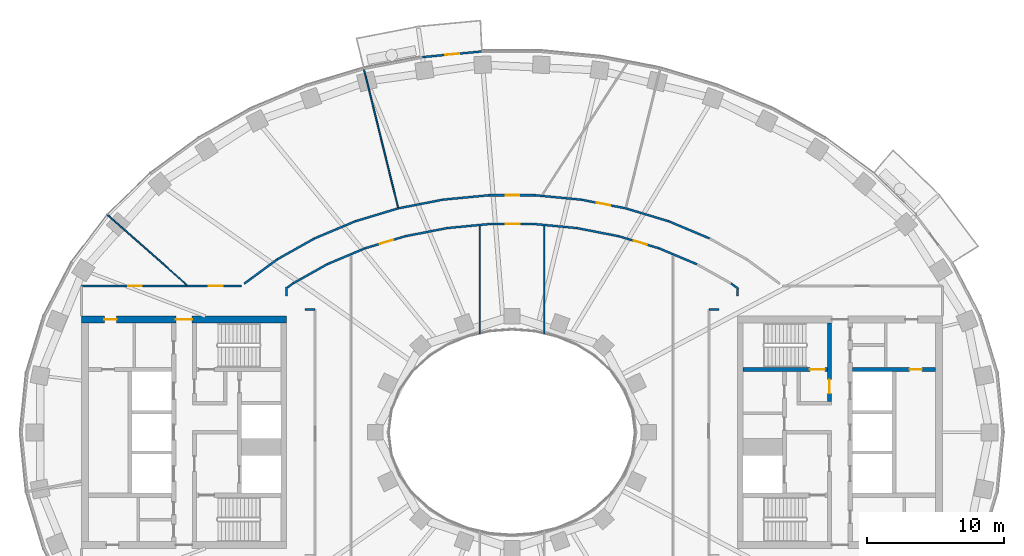
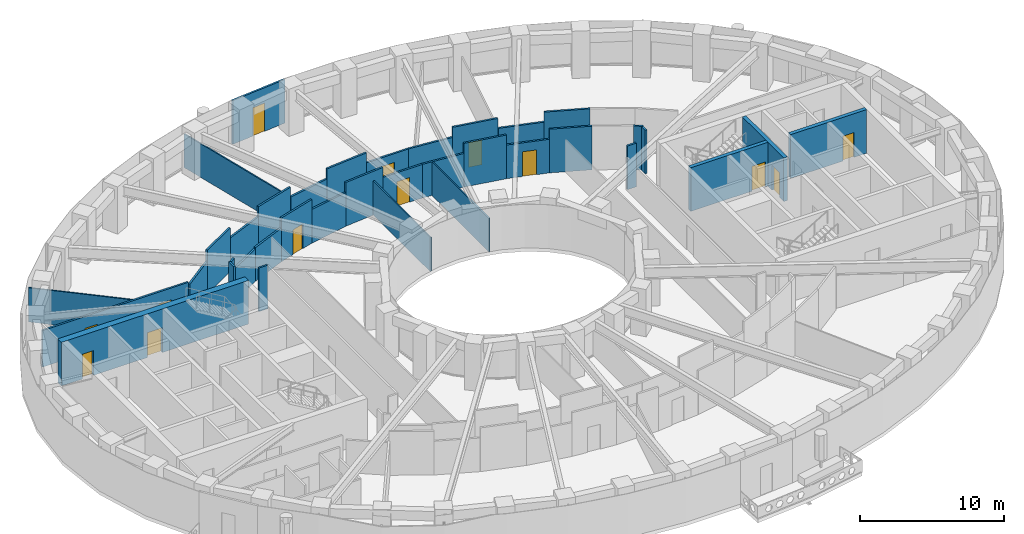
# One storey, part 6 of 16: 37 walls, 13 doors, 13 openings.
"""IFC4 building model written with IfcOpenShell, lengths in metres."""

from ifc_helpers import new_model, si_unit, direction, frame, frame_2d, origin, place, context, subcontext, project, spatial, rectangle, extrude, material, layer, layer_set, type_object, element, fill, save


model = new_model("IFC4")

# Units and contexts
model_context = context("Model", 3, precision=1e-05, world=origin(), true_north=direction((0.0, 1.0)))
body_context = subcontext(model_context, "Body", "Model", "MODEL_VIEW")
ifc_project = project(units=[si_unit("LENGTHUNIT", "METRE"), si_unit("AREAUNIT", "SQUARE_METRE"), si_unit("VOLUMEUNIT", "CUBIC_METRE"), si_unit("PLANEANGLEUNIT", "RADIAN"), si_unit("MASSUNIT", "GRAM", prefix="KILO")], contexts=[model_context])

# Site, building, storey
site_placement = place(None, origin())
site = spatial("IfcSite", under=ifc_project, at=site_placement, CompositionType="ELEMENT")
building_placement = place(site_placement, origin())
building = spatial("IfcBuilding", under=site, at=building_placement, Name="Noorbagh Ring Tower", CompositionType="ELEMENT")
storey_placement = place(building_placement, frame((0.0, 0.0, 132.0)))
storey = spatial("IfcBuildingStorey", under=building, at=storey_placement, Name="L30", CompositionType="ELEMENT", Elevation=132.0)

# Wall, opening, door
ifc_material_1 = material(Name="Concrete C70/85", Category="concrete")
ifc_layer_1 = layer(ifc_material_1, 0.300048828125)
ifc_layer_set_1 = layer_set([ifc_layer_1], Name="Concrete C70/85")
wall_type_1 = type_object("IfcWallType", Name="CORE-WALL-300-C70-85-EI240", PredefinedType="SHEAR", material=ifc_layer_set_1)
wall_1_placement = place(storey_placement, frame((24.89990234375, 4.60009765625, 0.0), z_axis=(0.0, 0.0, 1.0), x_axis=(1.0, 0.0, 0.0)))
wall_1 = element("IfcWall", 1, at=wall_1_placement, inside=storey, type_object=wall_type_1, Name="Core wall E", PredefinedType="SHEAR", context=body_context, shape_type="SweptSolid", body=[
    extrude(rectangle(XDim=6.10009765625, YDim=0.300048828125, at=frame_2d((3.050048828125, 0.0))), origin(), (0.0, 0.0, 1.0), 3.699951171875),
])
opening_1_placement = place(wall_1_placement, frame((4.199951171875, 0.0, 0.0)))
opening_1 = element("IfcOpeningElement", 2, at=opening_1_placement, cuts=wall_1, Name="Opening L30-CE18", PredefinedType="OPENING", context=body_context, shape_type="SweptSolid", body=[
    extrude(rectangle(XDim=0.89990234375, YDim=2.10009765625, at=frame_2d((0.449951171875, 1.050048828125))), frame((0.0, 0.16015625, 0.0), z_axis=(0.0, -1.0, 0.0), x_axis=(1.0, 0.0, 0.0)), (0.0, 0.0, 1.0), 0.320068359375),
])
ifc_material_2 = material(Name="Steel door leaf", Category="steel")
door_type_1 = type_object("IfcDoorType", Name="CORE-DOOR-DROOM", OperationType="SINGLE_SWING_LEFT", PredefinedType="DOOR", material=ifc_material_2)
door_1_placement = place(opening_1_placement, origin())
door_1 = element("IfcDoor", 3, at=door_1_placement, inside=storey, type_object=door_type_1, Name="Core room door L30-CE18", OperationType="SINGLE_SWING_RIGHT", OverallHeight=2.10009765625, OverallWidth=0.89990234375, PredefinedType="DOOR", context=body_context, shape_type="SweptSolid", body=[
    extrude(rectangle(XDim=0.89990234375, YDim=2.10009765625, at=frame_2d((0.449951171875, 1.050048828125))), frame((0.0, 0.02490234375, 0.0), z_axis=(0.0, -1.0, 0.0), x_axis=(1.0, 0.0, 0.0)), (0.0, 0.0, 1.0), 0.050048828125),
])
fill(opening_1, door_1)

wall_2_placement = place(storey_placement, frame((23.22998046875, 2.25, 0.0), z_axis=(0.0, 0.0, 1.0), x_axis=(0.0, 1.0, 0.0)))
wall_2 = element("IfcWall", 4, at=wall_2_placement, inside=storey, type_object=wall_type_1, Name="Core wall E", PredefinedType="SHEAR", context=body_context, shape_type="SweptSolid", body=[
    extrude(rectangle(XDim=5.75, YDim=0.300048828125, at=frame_2d((2.875, 0.0))), origin(), (0.0, 0.0, 1.0), 3.699951171875),
])
opening_2_placement = place(wall_2_placement, frame((0.60009765625, 0.0, 0.0)))
opening_2 = element("IfcOpeningElement", 5, at=opening_2_placement, cuts=wall_2, Name="Opening L30-CE08", PredefinedType="OPENING", context=body_context, shape_type="SweptSolid", body=[
    extrude(rectangle(XDim=1.0, YDim=2.10009765625, at=frame_2d((0.5, 1.050048828125))), frame((0.0, 0.16015625, 0.0), z_axis=(0.0, -1.0, 0.0), x_axis=(1.0, 0.0, 0.0)), (0.0, 0.0, 1.0), 0.320068359375),
])
ifc_material_3 = material(Name="Steel door leaf", Category="steel")
door_type_2 = type_object("IfcDoorType", Name="CORE-DOOR-DVEST", OperationType="SINGLE_SWING_LEFT", PredefinedType="DOOR", material=ifc_material_3)
door_2_placement = place(opening_2_placement, origin())
door_2 = element("IfcDoor", 6, at=door_2_placement, inside=storey, type_object=door_type_2, Name="Stair vestibule door L30-CE08", OperationType="SINGLE_SWING_RIGHT", OverallHeight=2.10009765625, OverallWidth=1.0, PredefinedType="DOOR", context=body_context, shape_type="SweptSolid", body=[
    extrude(rectangle(XDim=1.0, YDim=2.10009765625, at=frame_2d((0.5, 1.050048828125))), frame((0.0, 0.02490234375, 0.0), z_axis=(0.0, -1.0, 0.0), x_axis=(1.0, 0.0, 0.0)), (0.0, 0.0, 1.0), 0.050048828125),
])
fill(opening_2, door_2)

wall_3_placement = place(storey_placement, frame((16.89990234375, 4.60009765625, 0.0), z_axis=(0.0, 0.0, 1.0), x_axis=(1.0, 0.0, 0.0)))
wall_3 = element("IfcWall", 7, at=wall_3_placement, inside=storey, type_object=wall_type_1, Name="Core wall E", PredefinedType="SHEAR", context=body_context, shape_type="SweptSolid", body=[
    extrude(rectangle(XDim=6.18017578125, YDim=0.300048828125, at=frame_2d((3.090087890625, 0.0))), origin(), (0.0, 0.0, 1.0), 3.699951171875),
])
opening_3_placement = place(wall_3_placement, frame((4.89990234375, 0.0, 0.0)))
opening_3 = element("IfcOpeningElement", 8, at=opening_3_placement, cuts=wall_3, Name="Opening L30-CE05", PredefinedType="OPENING", context=body_context, shape_type="SweptSolid", body=[
    extrude(rectangle(XDim=1.10009765625, YDim=2.10009765625, at=frame_2d((0.550048828125, 1.050048828125))), frame((0.0, 0.16015625, 0.0), z_axis=(0.0, -1.0, 0.0), x_axis=(1.0, 0.0, 0.0)), (0.0, 0.0, 1.0), 0.320068359375),
])
ifc_material_4 = material(Name="Steel door leaf", Category="steel")
door_type_3 = type_object("IfcDoorType", Name="CORE-DOOR-DSTAIR", OperationType="SINGLE_SWING_LEFT", PredefinedType="DOOR", material=ifc_material_4)
door_3_placement = place(opening_3_placement, origin())
door_3 = element("IfcDoor", 9, at=door_3_placement, inside=storey, type_object=door_type_3, Name="Stair door ST3 L30-CE05", OperationType="SINGLE_SWING_LEFT", OverallHeight=2.10009765625, OverallWidth=1.10009765625, PredefinedType="DOOR", context=body_context, shape_type="SweptSolid", body=[
    extrude(rectangle(XDim=1.10009765625, YDim=2.10009765625, at=frame_2d((0.550048828125, 1.050048828125))), frame((0.0, 0.02490234375, 0.0), z_axis=(0.0, -1.0, 0.0), x_axis=(1.0, 0.0, 0.0)), (0.0, 0.0, 1.0), 0.050048828125),
])
fill(opening_3, door_3)

# Wall, openings, doors
ifc_material_5 = material(Name="Concrete C70/85", Category="concrete")
ifc_layer_2 = layer(ifc_material_5, 0.5)
ifc_layer_set_2 = layer_set([ifc_layer_2], Name="Concrete C70/85")
wall_type_2 = type_object("IfcWallType", Name="CORE-WALL-500-C70-85-EI240", PredefinedType="SHEAR", material=ifc_layer_set_2)
wall_4_placement = place(storey_placement, frame((-16.5, 8.25, 0.0), z_axis=(0.0, 0.0, 1.0), x_axis=(-1.0, 0.0, 0.0)))
wall_4 = element("IfcWall", 10, at=wall_4_placement, inside=storey, type_object=wall_type_2, Name="Core wall W", PredefinedType="SHEAR", context=body_context, shape_type="SweptSolid", body=[
    extrude(rectangle(XDim=15.0, YDim=0.5, at=frame_2d((7.5, 0.0))), origin(), (0.0, 0.0, 1.0), 3.699951171875),
])
opening_4_placement = place(wall_4_placement, frame((6.89990234375, 0.0, 0.0)))
opening_4 = element("IfcOpeningElement", 11, at=opening_4_placement, cuts=wall_4, Name="Opening L30-CW09", PredefinedType="OPENING", context=body_context, shape_type="SweptSolid", body=[
    extrude(rectangle(XDim=1.199951171875, YDim=2.10009765625, at=frame_2d((0.60009765625, 1.050048828125))), frame((0.0, 0.260009765625, 0.0), z_axis=(0.0, -1.0, 0.0), x_axis=(1.0, 0.0, 0.0)), (0.0, 0.0, 1.0), 0.52001953125),
])
opening_5_placement = place(wall_4_placement, frame((12.425048828125, 0.0, 0.0)))
opening_5 = element("IfcOpeningElement", 12, at=opening_5_placement, cuts=wall_4, Name="Opening L30-CW13", PredefinedType="OPENING", context=body_context, shape_type="SweptSolid", body=[
    extrude(rectangle(XDim=0.89990234375, YDim=2.10009765625, at=frame_2d((0.449951171875, 1.050048828125))), frame((0.0, 0.260009765625, 0.0), z_axis=(0.0, -1.0, 0.0), x_axis=(1.0, 0.0, 0.0)), (0.0, 0.0, 1.0), 0.52001953125),
])
door_4_placement = place(opening_5_placement, origin())
door_4 = element("IfcDoor", 13, at=door_4_placement, inside=storey, type_object=door_type_1, Name="Core room door L30-CW13", OperationType="SINGLE_SWING_RIGHT", OverallHeight=2.10009765625, OverallWidth=0.89990234375, PredefinedType="DOOR", context=body_context, shape_type="SweptSolid", body=[
    extrude(rectangle(XDim=0.89990234375, YDim=2.10009765625, at=frame_2d((0.449951171875, 1.050048828125))), frame((0.0, 0.02490234375, 0.0), z_axis=(0.0, -1.0, 0.0), x_axis=(1.0, 0.0, 0.0)), (0.0, 0.0, 1.0), 0.050048828125),
])
fill(opening_5, door_4)
ifc_material_6 = material(Name="Steel door leaf", Category="steel")
door_type_4 = type_object("IfcDoorType", Name="CORE-DOOR-PORT", OperationType="DOUBLE_DOOR_DOUBLE_SWING", PredefinedType="DOOR", material=ifc_material_6)
door_5_placement = place(opening_4_placement, origin())
door_5 = element("IfcDoor", 14, at=door_5_placement, inside=storey, type_object=door_type_4, Name="Core entrance door L30-CW09", OperationType="DOUBLE_DOOR_DOUBLE_SWING", OverallHeight=2.10009765625, OverallWidth=1.199951171875, PredefinedType="DOOR", context=body_context, shape_type="SweptSolid", body=[
    extrude(rectangle(XDim=1.199951171875, YDim=2.10009765625, at=frame_2d((0.60009765625, 1.050048828125))), frame((0.0, 0.02490234375, 0.0), z_axis=(0.0, -1.0, 0.0), x_axis=(1.0, 0.0, 0.0)), (0.0, 0.0, 1.0), 0.050048828125),
])
fill(opening_4, door_5)

ifc_material_7 = material(Name="Gypsum board on steel studs", Category="steel")
ifc_layer_3 = layer(ifc_material_7, 0.14990234375)
ifc_layer_set_3 = layer_set([ifc_layer_3], Name="Gypsum board on steel studs")
wall_type_3 = type_object("IfcWallType", Name="CORRIDOR PARTITION 150 EI 30", PredefinedType="PARTITIONING", material=ifc_layer_set_3)
wall_5_placement = place(storey_placement, frame((-31.5, 10.699951171875, 0.0), z_axis=(0.0, 0.0, 1.0), x_axis=(1.0, 0.0, 0.0)))
wall_5 = element("IfcWall", 15, at=wall_5_placement, inside=storey, type_object=wall_type_3, Name="L30/wall/P06", PredefinedType="PARTITIONING", context=body_context, shape_type="SweptSolid", body=[
    extrude(rectangle(XDim=11.722900390625, YDim=0.14990234375, at=frame_2d((5.861328125, 0.0))), origin(), (0.0, 0.0, 1.0), 3.10009765625),
])
opening_6_placement = place(wall_5_placement, frame((3.403076171875, 0.0, 0.0)))
opening_6 = element("IfcOpeningElement", 16, at=opening_6_placement, cuts=wall_5, Name="Opening D1", PredefinedType="OPENING", context=body_context, shape_type="SweptSolid", body=[
    extrude(rectangle(XDim=1.0, YDim=2.10009765625, at=frame_2d((0.5, 1.050048828125))), frame((0.0, 0.0849609375, 0.0), z_axis=(0.0, -1.0, 0.0), x_axis=(1.0, 0.0, 0.0)), (0.0, 0.0, 1.0), 0.169921875),
])
opening_7_placement = place(wall_5_placement, frame((9.322998046875, 0.0, 0.0)))
opening_7 = element("IfcOpeningElement", 17, at=opening_7_placement, cuts=wall_5, Name="Opening D1", PredefinedType="OPENING", context=body_context, shape_type="SweptSolid", body=[
    extrude(rectangle(XDim=1.0, YDim=2.10009765625, at=frame_2d((0.5, 1.050048828125))), frame((0.0, 0.0849609375, 0.0), z_axis=(0.0, -1.0, 0.0), x_axis=(1.0, 0.0, 0.0)), (0.0, 0.0, 1.0), 0.169921875),
])
ifc_material_8 = material(Name="Timber, painted", Category="wood")
door_type_5 = type_object("IfcDoorType", Name="DOOR 1000 X 2100 FD30", OperationType="SINGLE_SWING_LEFT", PredefinedType="DOOR", material=ifc_material_8)
door_6_placement = place(opening_6_placement, origin())
door_6 = element("IfcDoor", 18, at=door_6_placement, inside=storey, type_object=door_type_5, Name="L30-D06", OperationType="SINGLE_SWING_RIGHT", OverallHeight=2.10009765625, OverallWidth=1.0, PredefinedType="DOOR", context=body_context, shape_type="SweptSolid", body=[
    extrude(rectangle(XDim=1.0, YDim=2.10009765625, at=frame_2d((0.5, 1.050048828125))), frame((0.0, 0.02490234375, 0.0), z_axis=(0.0, -1.0, 0.0), x_axis=(1.0, 0.0, 0.0)), (0.0, 0.0, 1.0), 0.050048828125),
])
fill(opening_6, door_6)
door_7_placement = place(opening_7_placement, origin())
door_7 = element("IfcDoor", 19, at=door_7_placement, inside=storey, type_object=door_type_5, Name="L30-D07", OperationType="SINGLE_SWING_LEFT", OverallHeight=2.10009765625, OverallWidth=1.0, PredefinedType="DOOR", context=body_context, shape_type="SweptSolid", body=[
    extrude(rectangle(XDim=1.0, YDim=2.10009765625, at=frame_2d((0.5, 1.050048828125))), frame((0.0, 0.02490234375, 0.0), z_axis=(0.0, -1.0, 0.0), x_axis=(1.0, 0.0, 0.0)), (0.0, 0.0, 1.0), 0.050048828125),
])
fill(opening_7, door_7)

# Walls
wall_6_placement = place(storey_placement, frame((-19.594970703125, 10.876953125, 0.0), z_axis=(0.0, 0.0, 1.0), x_axis=(0.805151708762, 0.593068904831, 0.0)))
element("IfcWall", 20, at=wall_6_placement, inside=storey, type_object=wall_type_3, Name="L30/wall/P17", PredefinedType="PARTITIONING", context=body_context, shape_type="SweptSolid", body=[
    extrude(rectangle(XDim=3.008056640625, YDim=0.14990234375, at=frame_2d((1.50390625, 0.0))), origin(), (0.0, 0.0, 1.0), 2.75),
])
wall_7_placement = place(storey_placement, frame((-17.173095703125, 12.660888671875, 0.0), z_axis=(0.0, 0.0, 1.0), x_axis=(0.872054495499, 0.489408783003, 0.0)))
element("IfcWall", 21, at=wall_7_placement, inside=storey, type_object=wall_type_3, Name="L30/wall/P19", PredefinedType="PARTITIONING", context=body_context, shape_type="SweptSolid", body=[
    extrude(rectangle(XDim=3.128173828125, YDim=0.14990234375, at=frame_2d((1.56396484375, 0.0))), origin(), (0.0, 0.0, 1.0), 3.699951171875),
])
wall_8_placement = place(storey_placement, frame((-16.5, 9.964111328125, 0.0), z_axis=(0.0, 0.0, 1.0), x_axis=(0.0, 1.0, 0.0)))
element("IfcWall", 22, at=wall_8_placement, inside=storey, type_object=wall_type_3, Name="L30/wall/P22", PredefinedType="PARTITIONING", context=body_context, shape_type="SweptSolid", body=[
    extrude(rectangle(XDim=0.677978515625, YDim=0.14990234375, at=frame_2d((0.3388671875, 0.0))), origin(), (0.0, 0.0, 1.0), 3.699951171875),
])
wall_9_placement = place(storey_placement, frame((-16.425048828125, 10.60400390625, 0.0), z_axis=(0.0, 0.0, 1.0), x_axis=(0.805608867586, 0.592447763492, 0.0)))
element("IfcWall", 23, at=wall_9_placement, inside=storey, type_object=wall_type_3, Name="L30/wall/P23", PredefinedType="PARTITIONING", context=body_context, shape_type="SweptSolid", body=[
    extrude(rectangle(XDim=0.48779296875, YDim=0.14990234375, at=frame_2d((0.243896484375, 0.0))), origin(), (0.0, 0.0, 1.0), 3.699951171875),
])
wall_10_placement = place(storey_placement, frame((-16.031982421875, 10.89306640625, 0.0), z_axis=(0.0, 0.0, 1.0), x_axis=(0.871948863789, 0.489596955604, 0.0)))
element("IfcWall", 24, at=wall_10_placement, inside=storey, type_object=wall_type_3, Name="L30/wall/P25", PredefinedType="PARTITIONING", context=body_context, shape_type="SweptSolid", body=[
    extrude(rectangle(XDim=2.879638671875, YDim=0.14990234375, at=frame_2d((1.43994140625, 0.0))), origin(), (0.0, 0.0, 1.0), 2.75),
])
wall_11_placement = place(storey_placement, frame((-15.134033203125, 9.0, 0.0), z_axis=(0.0, 0.0, 1.0), x_axis=(1.0, 0.0, 0.0)))
element("IfcWall", 25, at=wall_11_placement, inside=storey, type_object=wall_type_3, Name="L30/wall/P27", PredefinedType="PARTITIONING", context=body_context, shape_type="SweptSolid", body=[
    extrude(rectangle(XDim=0.734130859375, YDim=0.14990234375, at=frame_2d((0.3671875, 0.0))), origin(), (0.0, 0.0, 1.0), 3.699951171875),
])
wall_12_placement = place(storey_placement, frame((-14.445068359375, 14.19189453125, 0.0), z_axis=(0.0, 0.0, 1.0), x_axis=(0.921794929211, 0.387677841101, 0.0)))
element("IfcWall", 26, at=wall_12_placement, inside=storey, type_object=wall_type_3, Name="L30/wall/P29", PredefinedType="PARTITIONING", context=body_context, shape_type="SweptSolid", body=[
    extrude(rectangle(XDim=3.224365234375, YDim=0.14990234375, at=frame_2d((1.6123046875, 0.0))), origin(), (0.0, 0.0, 1.0), 2.85009765625),
])
wall_13_placement = place(storey_placement, frame((-13.52099609375, 12.302978515625, 0.0), z_axis=(0.0, 0.0, 1.0), x_axis=(0.921848667289, 0.387550041438, 0.0)))
element("IfcWall", 27, at=wall_13_placement, inside=storey, type_object=wall_type_3, Name="L30/wall/P32", PredefinedType="PARTITIONING", context=body_context, shape_type="SweptSolid", body=[
    extrude(rectangle(XDim=2.992919921875, YDim=0.14990234375, at=frame_2d((1.49658203125, 0.0))), origin(), (0.0, 0.0, 1.0), 2.85009765625),
])
wall_14_placement = place(storey_placement, frame((-11.472900390625, 15.44189453125, 0.0), z_axis=(0.0, 0.0, 1.0), x_axis=(0.957575426962, 0.288182757429, 0.0)))
element("IfcWall", 28, at=wall_14_placement, inside=storey, type_object=wall_type_3, Name="L30/wall/P35", PredefinedType="PARTITIONING", context=body_context, shape_type="SweptSolid", body=[
    extrude(rectangle(XDim=3.272705078125, YDim=0.14990234375, at=frame_2d((1.63623046875, 0.0))), origin(), (0.0, 0.0, 1.0), 3.699951171875),
])

# Wall, opening, door
wall_15_placement = place(storey_placement, frame((-10.761962890625, 13.462890625, 0.0), z_axis=(0.0, 0.0, 1.0), x_axis=(0.957609782402, 0.288068576292, 0.0)))
wall_15 = element("IfcWall", 29, at=wall_15_placement, inside=storey, type_object=wall_type_3, Name="L30/wall/P38", PredefinedType="PARTITIONING", context=body_context, shape_type="SweptSolid", body=[
    extrude(rectangle(XDim=3.076416015625, YDim=0.14990234375, at=frame_2d((1.5380859375, 0.0))), origin(), (0.0, 0.0, 1.0), 3.699951171875),
])
opening_8_placement = place(wall_15_placement, frame((1.14990234375, 0.0, 0.0)))
opening_8 = element("IfcOpeningElement", 30, at=opening_8_placement, cuts=wall_15, Name="Opening D1", PredefinedType="OPENING", context=body_context, shape_type="SweptSolid", body=[
    extrude(rectangle(XDim=1.0, YDim=2.10009765625, at=frame_2d((0.5, 1.050048828125))), frame((0.0, 0.0849609375, 0.0), z_axis=(0.0, -1.0, 0.0), x_axis=(1.0, 0.0, 0.0)), (0.0, 0.0, 1.0), 0.169921875),
])
door_8_placement = place(opening_8_placement, origin())
door_8 = element("IfcDoor", 31, at=door_8_placement, inside=storey, type_object=door_type_5, Name="L30-D15", OperationType="SINGLE_SWING_LEFT", OverallHeight=2.10009765625, OverallWidth=1.0, PredefinedType="DOOR", context=body_context, shape_type="SweptSolid", body=[
    extrude(rectangle(XDim=1.0, YDim=2.10009765625, at=frame_2d((0.5, 1.050048828125))), frame((0.0, 0.02490234375, 0.0), z_axis=(0.0, -1.0, 0.0), x_axis=(1.0, 0.0, 0.0)), (0.0, 0.0, 1.0), 0.050048828125),
])
fill(opening_8, door_8)

# Walls
wall_16_placement = place(storey_placement, frame((-8.301025390625, 16.39501953125, 0.0), z_axis=(0.0, 0.0, 1.0), x_axis=(0.98166242116, 0.19062762361, 0.0)))
element("IfcWall", 32, at=wall_16_placement, inside=storey, type_object=wall_type_3, Name="L30/wall/P40", PredefinedType="PARTITIONING", context=body_context, shape_type="SweptSolid", body=[
    extrude(rectangle(XDim=3.32080078125, YDim=0.14990234375, at=frame_2d((1.660400390625, 0.0))), origin(), (0.0, 0.0, 1.0), 2.85009765625),
])
wall_17_placement = place(storey_placement, frame((-7.81591796875, 14.34912109375, 0.0), z_axis=(0.0, 0.0, 1.0), x_axis=(0.981627147181, 0.190809181955, 0.0)))
element("IfcWall", 33, at=wall_17_placement, inside=storey, type_object=wall_type_3, Name="L30/wall/P42", PredefinedType="PARTITIONING", context=body_context, shape_type="SweptSolid", body=[
    extrude(rectangle(XDim=3.133544921875, YDim=0.14990234375, at=frame_2d((1.56689453125, 0.0))), origin(), (0.0, 0.0, 1.0), 2.85009765625),
])
wall_18_placement = place(storey_placement, frame((-5.041015625, 17.028076171875, 0.0), z_axis=(0.0, 0.0, 1.0), x_axis=(0.99548178004, 0.094952754613, 0.0)))
element("IfcWall", 34, at=wall_18_placement, inside=storey, type_object=wall_type_3, Name="L30/wall/P44", PredefinedType="PARTITIONING", context=body_context, shape_type="SweptSolid", body=[
    extrude(rectangle(XDim=3.3681640625, YDim=0.14990234375, at=frame_2d((1.68408203125, 0.0))), origin(), (0.0, 0.0, 1.0), 3.699951171875),
])
wall_19_placement = place(storey_placement, frame((-4.739990234375, 14.947021484375, 0.0), z_axis=(0.0, 0.0, 1.0), x_axis=(0.995467349369, 0.095103923894, 0.0)))
element("IfcWall", 35, at=wall_19_placement, inside=storey, type_object=wall_type_3, Name="L30/wall/P46", PredefinedType="PARTITIONING", context=body_context, shape_type="SweptSolid", body=[
    extrude(rectangle(XDim=3.165283203125, YDim=0.14990234375, at=frame_2d((1.58251953125, 0.0))), origin(), (0.0, 0.0, 1.0), 3.699951171875),
])

# Wall, opening, door
wall_20_placement = place(storey_placement, frame((-1.68798828125, 17.347900390625, 0.0), z_axis=(0.0, 0.0, 1.0), x_axis=(1.0, 0.0, 0.0)))
wall_20 = element("IfcWall", 36, at=wall_20_placement, inside=storey, type_object=wall_type_3, Name="L30/wall/P52", PredefinedType="PARTITIONING", context=body_context, shape_type="SweptSolid", body=[
    extrude(rectangle(XDim=3.3759765625, YDim=0.14990234375, at=frame_2d((1.68798828125, 0.0))), origin(), (0.0, 0.0, 1.0), 2.85009765625),
])
opening_9_placement = place(wall_20_placement, frame((1.22607421875, 0.0, 0.0)))
opening_9 = element("IfcOpeningElement", 37, at=opening_9_placement, cuts=wall_20, Name="Opening D1", PredefinedType="OPENING", context=body_context, shape_type="SweptSolid", body=[
    extrude(rectangle(XDim=1.0, YDim=2.10009765625, at=frame_2d((0.5, 1.050048828125))), frame((0.0, 0.0849609375, 0.0), z_axis=(0.0, -1.0, 0.0), x_axis=(1.0, 0.0, 0.0)), (0.0, 0.0, 1.0), 0.169921875),
])
door_9_placement = place(opening_9_placement, origin())
door_9 = element("IfcDoor", 38, at=door_9_placement, inside=storey, type_object=door_type_5, Name="L30-D09", OperationType="SINGLE_SWING_LEFT", OverallHeight=2.10009765625, OverallWidth=1.0, PredefinedType="DOOR", context=body_context, shape_type="SweptSolid", body=[
    extrude(rectangle(XDim=1.0, YDim=2.10009765625, at=frame_2d((0.5, 1.050048828125))), frame((0.0, 0.02490234375, 0.0), z_axis=(0.0, -1.0, 0.0), x_axis=(1.0, 0.0, 0.0)), (0.0, 0.0, 1.0), 0.050048828125),
])
fill(opening_9, door_9)

wall_21_placement = place(storey_placement, frame((-1.589111328125, 15.248046875, 0.0), z_axis=(0.0, 0.0, 1.0), x_axis=(1.0, 0.0, 0.0)))
wall_21 = element("IfcWall", 39, at=wall_21_placement, inside=storey, type_object=wall_type_3, Name="L30/wall/P54", PredefinedType="PARTITIONING", context=body_context, shape_type="SweptSolid", body=[
    extrude(rectangle(XDim=3.17822265625, YDim=0.14990234375, at=frame_2d((1.589111328125, 0.0))), origin(), (0.0, 0.0, 1.0), 2.85009765625),
])
opening_10_placement = place(wall_21_placement, frame((1.14990234375, 0.0, 0.0)))
opening_10 = element("IfcOpeningElement", 40, at=opening_10_placement, cuts=wall_21, Name="Opening D1", PredefinedType="OPENING", context=body_context, shape_type="SweptSolid", body=[
    extrude(rectangle(XDim=1.0, YDim=2.10009765625, at=frame_2d((0.5, 1.050048828125))), frame((0.0, 0.0849609375, 0.0), z_axis=(0.0, -1.0, 0.0), x_axis=(1.0, 0.0, 0.0)), (0.0, 0.0, 1.0), 0.169921875),
])
door_10_placement = place(opening_10_placement, origin())
door_10 = element("IfcDoor", 41, at=door_10_placement, inside=storey, type_object=door_type_5, Name="L30-D17", OperationType="SINGLE_SWING_LEFT", OverallHeight=2.10009765625, OverallWidth=1.0, PredefinedType="DOOR", context=body_context, shape_type="SweptSolid", body=[
    extrude(rectangle(XDim=1.0, YDim=2.10009765625, at=frame_2d((0.5, 1.050048828125))), frame((0.0, 0.02490234375, 0.0), z_axis=(0.0, -1.0, 0.0), x_axis=(1.0, 0.0, 0.0)), (0.0, 0.0, 1.0), 0.050048828125),
])
fill(opening_10, door_10)

# Walls
wall_22_placement = place(storey_placement, frame((1.589111328125, 15.248046875, 0.0), z_axis=(0.0, 0.0, 1.0), x_axis=(0.995467349369, -0.095103923894, 0.0)))
element("IfcWall", 42, at=wall_22_placement, inside=storey, type_object=wall_type_3, Name="L30/wall/P57", PredefinedType="PARTITIONING", context=body_context, shape_type="SweptSolid", body=[
    extrude(rectangle(XDim=3.165283203125, YDim=0.14990234375, at=frame_2d((1.58251953125, 0.0))), origin(), (0.0, 0.0, 1.0), 2.85009765625),
])
wall_23_placement = place(storey_placement, frame((1.68798828125, 17.347900390625, 0.0), z_axis=(0.0, 0.0, 1.0), x_axis=(0.99548178004, -0.094952754613, 0.0)))
element("IfcWall", 43, at=wall_23_placement, inside=storey, type_object=wall_type_3, Name="L30/wall/P59", PredefinedType="PARTITIONING", context=body_context, shape_type="SweptSolid", body=[
    extrude(rectangle(XDim=3.3681640625, YDim=0.14990234375, at=frame_2d((1.68408203125, 0.0))), origin(), (0.0, 0.0, 1.0), 2.85009765625),
])
wall_24_placement = place(storey_placement, frame((4.739990234375, 14.947021484375, 0.0), z_axis=(0.0, 0.0, 1.0), x_axis=(0.981627147181, -0.190809181955, 0.0)))
element("IfcWall", 44, at=wall_24_placement, inside=storey, type_object=wall_type_3, Name="L30/wall/P64", PredefinedType="PARTITIONING", context=body_context, shape_type="SweptSolid", body=[
    extrude(rectangle(XDim=3.133544921875, YDim=0.14990234375, at=frame_2d((1.56689453125, 0.0))), origin(), (0.0, 0.0, 1.0), 3.699951171875),
])

# Wall, opening, door
wall_25_placement = place(storey_placement, frame((5.041015625, 17.028076171875, 0.0), z_axis=(0.0, 0.0, 1.0), x_axis=(0.98166242116, -0.19062762361, 0.0)))
wall_25 = element("IfcWall", 45, at=wall_25_placement, inside=storey, type_object=wall_type_3, Name="L30/wall/P66", PredefinedType="PARTITIONING", context=body_context, shape_type="SweptSolid", body=[
    extrude(rectangle(XDim=3.32080078125, YDim=0.14990234375, at=frame_2d((1.660400390625, 0.0))), origin(), (0.0, 0.0, 1.0), 3.699951171875),
])
opening_11_placement = place(wall_25_placement, frame((1.190185546875, 0.0, 0.0)))
opening_11 = element("IfcOpeningElement", 46, at=opening_11_placement, cuts=wall_25, Name="Opening D1", PredefinedType="OPENING", context=body_context, shape_type="SweptSolid", body=[
    extrude(rectangle(XDim=1.0, YDim=2.10009765625, at=frame_2d((0.5, 1.050048828125))), frame((0.0, 0.0849609375, 0.0), z_axis=(0.0, -1.0, 0.0), x_axis=(1.0, 0.0, 0.0)), (0.0, 0.0, 1.0), 0.169921875),
])
door_11_placement = place(opening_11_placement, origin())
door_11 = element("IfcDoor", 47, at=door_11_placement, inside=storey, type_object=door_type_5, Name="L30-D11", OperationType="SINGLE_SWING_LEFT", OverallHeight=2.10009765625, OverallWidth=1.0, PredefinedType="DOOR", context=body_context, shape_type="SweptSolid", body=[
    extrude(rectangle(XDim=1.0, YDim=2.10009765625, at=frame_2d((0.5, 1.050048828125))), frame((0.0, 0.02490234375, 0.0), z_axis=(0.0, -1.0, 0.0), x_axis=(1.0, 0.0, 0.0)), (0.0, 0.0, 1.0), 0.050048828125),
])
fill(opening_11, door_11)

wall_26_placement = place(storey_placement, frame((7.81591796875, 14.34912109375, 0.0), z_axis=(0.0, 0.0, 1.0), x_axis=(0.957609782402, -0.288068576292, 0.0)))
wall_26 = element("IfcWall", 48, at=wall_26_placement, inside=storey, type_object=wall_type_3, Name="L30/wall/P68", PredefinedType="PARTITIONING", context=body_context, shape_type="SweptSolid", body=[
    extrude(rectangle(XDim=3.076416015625, YDim=0.14990234375, at=frame_2d((1.5380859375, 0.0))), origin(), (0.0, 0.0, 1.0), 2.85009765625),
])
opening_12_placement = place(wall_26_placement, frame((1.14990234375, 0.0, 0.0)))
opening_12 = element("IfcOpeningElement", 49, at=opening_12_placement, cuts=wall_26, Name="Opening D1", PredefinedType="OPENING", context=body_context, shape_type="SweptSolid", body=[
    extrude(rectangle(XDim=1.0, YDim=2.10009765625, at=frame_2d((0.5, 1.050048828125))), frame((0.0, 0.0849609375, 0.0), z_axis=(0.0, -1.0, 0.0), x_axis=(1.0, 0.0, 0.0)), (0.0, 0.0, 1.0), 0.169921875),
])
door_12_placement = place(opening_12_placement, origin())
door_12 = element("IfcDoor", 50, at=door_12_placement, inside=storey, type_object=door_type_5, Name="L30-D18", OperationType="SINGLE_SWING_RIGHT", OverallHeight=2.10009765625, OverallWidth=1.0, PredefinedType="DOOR", context=body_context, shape_type="SweptSolid", body=[
    extrude(rectangle(XDim=1.0, YDim=2.10009765625, at=frame_2d((0.5, 1.050048828125))), frame((0.0, 0.02490234375, 0.0), z_axis=(0.0, -1.0, 0.0), x_axis=(1.0, 0.0, 0.0)), (0.0, 0.0, 1.0), 0.050048828125),
])
fill(opening_12, door_12)

# Walls
wall_27_placement = place(storey_placement, frame((8.339111328125, 16.385009765625, 0.0), z_axis=(0.0, 0.0, 1.0), x_axis=(0.957575426962, -0.288182757429, 0.0)))
element("IfcWall", 51, at=wall_27_placement, inside=storey, type_object=wall_type_3, Name="L30/wall/P71", PredefinedType="PARTITIONING", context=body_context, shape_type="SweptSolid", body=[
    extrude(rectangle(XDim=3.272705078125, YDim=0.14990234375, at=frame_2d((1.63623046875, 0.0))), origin(), (0.0, 0.0, 1.0), 2.85009765625),
])
wall_28_placement = place(storey_placement, frame((10.761962890625, 13.462890625, 0.0), z_axis=(0.0, 0.0, 1.0), x_axis=(0.921848667289, -0.387550041438, 0.0)))
element("IfcWall", 52, at=wall_28_placement, inside=storey, type_object=wall_type_3, Name="L30/wall/P73", PredefinedType="PARTITIONING", context=body_context, shape_type="SweptSolid", body=[
    extrude(rectangle(XDim=2.992919921875, YDim=0.14990234375, at=frame_2d((1.49658203125, 0.0))), origin(), (0.0, 0.0, 1.0), 3.699951171875),
])
wall_29_placement = place(storey_placement, frame((11.472900390625, 15.44189453125, 0.0), z_axis=(0.0, 0.0, 1.0), x_axis=(0.921794929211, -0.387677841101, 0.0)))
element("IfcWall", 53, at=wall_29_placement, inside=storey, type_object=wall_type_3, Name="L30/wall/P75", PredefinedType="PARTITIONING", context=body_context, shape_type="SweptSolid", body=[
    extrude(rectangle(XDim=3.224365234375, YDim=0.14990234375, at=frame_2d((1.6123046875, 0.0))), origin(), (0.0, 0.0, 1.0), 3.699951171875),
])
wall_30_placement = place(storey_placement, frame((14.39990234375, 9.0, 0.0), z_axis=(0.0, 0.0, 1.0), x_axis=(1.0, 0.0, 0.0)))
element("IfcWall", 54, at=wall_30_placement, inside=storey, type_object=wall_type_3, Name="L30/wall/P81", PredefinedType="PARTITIONING", context=body_context, shape_type="SweptSolid", body=[
    extrude(rectangle(XDim=0.734130859375, YDim=0.14990234375, at=frame_2d((0.3671875, 0.0))), origin(), (0.0, 0.0, 1.0), 3.699951171875),
])
wall_31_placement = place(storey_placement, frame((16.031982421875, 10.89306640625, 0.0), z_axis=(0.0, 0.0, 1.0), x_axis=(0.805701862575, -0.592321288359, 0.0)))
element("IfcWall", 55, at=wall_31_placement, inside=storey, type_object=wall_type_3, Name="L30/wall/P86", PredefinedType="PARTITIONING", context=body_context, shape_type="SweptSolid", body=[
    extrude(rectangle(XDim=0.673828125, YDim=0.14990234375, at=frame_2d((0.3369140625, 0.0))), origin(), (0.0, 0.0, 1.0), 3.699951171875),
])
wall_32_placement = place(storey_placement, frame((16.5, 9.964111328125, 0.0), z_axis=(0.0, 0.0, 1.0), x_axis=(0.0, 1.0, 0.0)))
element("IfcWall", 56, at=wall_32_placement, inside=storey, type_object=wall_type_3, Name="L30/wall/P88", PredefinedType="PARTITIONING", context=body_context, shape_type="SweptSolid", body=[
    extrude(rectangle(XDim=0.491943359375, YDim=0.14990234375, at=frame_2d((0.24609375, 0.0))), origin(), (0.0, 0.0, 1.0), 3.699951171875),
])

# Wall, opening, door
ifc_material_9 = material(Name="Insulated aluminium clad panel", Category="aluminium")
ifc_layer_4 = layer(ifc_material_9, 0.14990234375)
ifc_layer_set_4 = layer_set([ifc_layer_4], Name="Insulated aluminium clad panel")
wall_type_4 = type_object("IfcWallType", Name="ENV-WALL-DOOR", PredefinedType="STANDARD", material=ifc_layer_set_4)
wall_33_placement = place(storey_placement, frame((-2.166259765625, 27.875244140625, 0.0), z_axis=(0.0, 0.0, 1.0), x_axis=(-0.995473879823, -0.095035543824, 0.0)))
wall_33 = element("IfcWall", 57, at=wall_33_placement, inside=storey, type_object=wall_type_4, Name="Balcony door wall chord 13", PredefinedType="STANDARD", context=body_context, shape_type="SweptSolid", body=[
    extrude(rectangle(XDim=4.42626953125, YDim=0.14990234375, at=frame_2d((2.213134765625, 0.0))), origin(), (0.0, 0.0, 1.0), 3.699951171875),
])
opening_13_placement = place(wall_33_placement, frame((1.713134765625, 0.0, 0.0)))
opening_13 = element("IfcOpeningElement", 58, at=opening_13_placement, cuts=wall_33, Name="Opening D-BL", PredefinedType="OPENING", context=body_context, shape_type="SweptSolid", body=[
    extrude(rectangle(XDim=1.0, YDim=2.39990234375, at=frame_2d((0.5, 1.199951171875))), frame((0.0, 0.0849609375, 0.0), z_axis=(0.0, -1.0, 0.0), x_axis=(1.0, 0.0, 0.0)), (0.0, 0.0, 1.0), 0.169921875),
])
ifc_material_10 = material(Name="Aluminium and glass", Category="aluminium")
door_type_6 = type_object("IfcDoorType", Name="ENV-DOOR-BALCONY", OperationType="SINGLE_SWING_LEFT", PredefinedType="DOOR", material=ifc_material_10)
door_13_placement = place(opening_13_placement, origin())
door_13 = element("IfcDoor", 59, at=door_13_placement, inside=storey, type_object=door_type_6, Name="Balcony door chord 13", OperationType="SINGLE_SWING_LEFT", OverallHeight=2.39990234375, OverallWidth=1.0, PredefinedType="DOOR", context=body_context, shape_type="SweptSolid", body=[
    extrude(rectangle(XDim=1.0, YDim=2.39990234375, at=frame_2d((0.5, 1.199951171875))), frame((0.0, 0.02490234375, 0.0), z_axis=(0.0, -1.0, 0.0), x_axis=(1.0, 0.0, 0.0)), (0.0, 0.0, 1.0), 0.050048828125),
])
fill(opening_13, door_13)

# Walls
ifc_material_11 = material(Name="Gypsum board on steel studs", Category="steel")
ifc_layer_5 = layer(ifc_material_11, 0.10009765625)
ifc_layer_set_5 = layer_set([ifc_layer_5], Name="Gypsum board on steel studs")
wall_type_5 = type_object("IfcWallType", Name="PARTITION 100 GYPSUM", PredefinedType="PARTITIONING", material=ifc_layer_set_5)
wall_34_placement = place(storey_placement, frame((-29.569091796875, 15.89501953125, 0.0), z_axis=(0.0, 0.0, 1.0), x_axis=(0.748985701008, -0.662586160198, 0.0)))
element("IfcWall", 60, at=wall_34_placement, inside=storey, type_object=wall_type_5, Name="L30/wall/P08", PredefinedType="PARTITIONING", context=body_context, shape_type="SweptSolid", body=[
    extrude(rectangle(XDim=7.72265625, YDim=0.10009765625, at=frame_2d((3.861328125, 0.0))), origin(), (0.0, 0.0, 1.0), 2.89990234375),
])
wall_35_placement = place(storey_placement, frame((-10.85302734375, 26.64599609375, 0.0), z_axis=(0.0, 0.0, 1.0), x_axis=(0.239771193985, -0.970829426076, 0.0)))
element("IfcWall", 61, at=wall_35_placement, inside=storey, type_object=wall_type_5, Name="L30/wall/P36", PredefinedType="PARTITIONING", context=body_context, shape_type="SweptSolid", body=[
    extrude(rectangle(XDim=10.56005859375, YDim=0.10009765625, at=frame_2d((5.280029296875, 0.0))), origin(), (0.0, 0.0, 1.0), 2.85009765625),
])
wall_36_placement = place(storey_placement, frame((-2.35693359375, 7.2099609375, 0.0), z_axis=(0.0, 0.0, 1.0), x_axis=(0.0, 1.0, 0.0)))
element("IfcWall", 62, at=wall_36_placement, inside=storey, type_object=wall_type_5, Name="L30/wall/P49", PredefinedType="PARTITIONING", context=body_context, shape_type="SweptSolid", body=[
    extrude(rectangle(XDim=7.885986328125, YDim=0.10009765625, at=frame_2d((3.94287109375, 0.0))), origin(), (0.0, 0.0, 1.0), 2.89990234375),
])
wall_37_placement = place(storey_placement, frame((2.35693359375, 7.2099609375, 0.0), z_axis=(0.0, 0.0, 1.0), x_axis=(0.0, 1.0, 0.0)))
element("IfcWall", 63, at=wall_37_placement, inside=storey, type_object=wall_type_5, Name="L30/wall/P62", PredefinedType="PARTITIONING", context=body_context, shape_type="SweptSolid", body=[
    extrude(rectangle(XDim=7.885986328125, YDim=0.10009765625, at=frame_2d((3.94287109375, 0.0))), origin(), (0.0, 0.0, 1.0), 2.85009765625),
])

save(model, "model.ifc")
